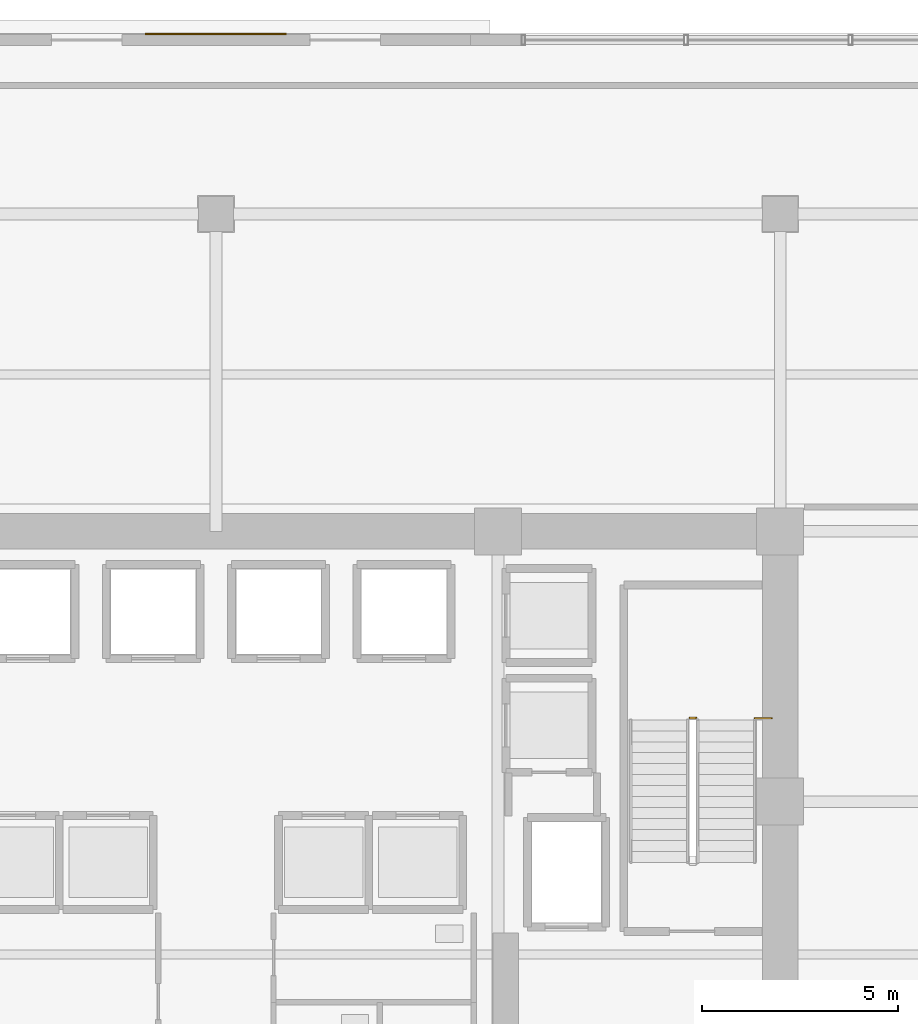
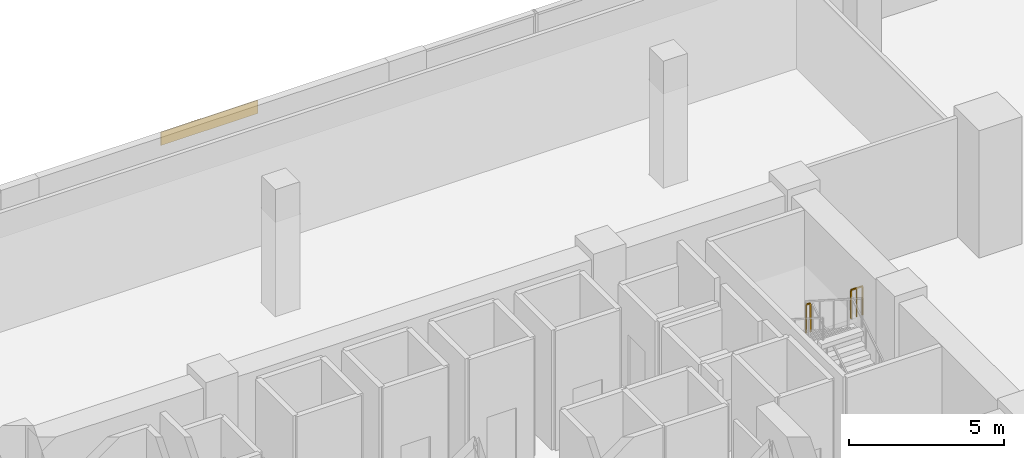
# One storey, part 24 of 27: 2 railings, 1 covering.
"""IFC4 building model written with IfcOpenShell, lengths in metres."""

from ifc_helpers import new_model, si_unit, direction, frame, origin, origin_2d, place, context, subcontext, project, spatial, rectangle, extrude, source, transform, mapped, material, layer, layer_set, type_object, element, save


model = new_model("IFC4")

# Units and contexts
model_context = context("Model", 3, precision=1e-05, world=origin(), true_north=direction((0.0, 1.0)))
body_context = subcontext(model_context, "Body", "Model", "MODEL_VIEW")
ifc_project = project(units=[si_unit("LENGTHUNIT", "METRE"), si_unit("AREAUNIT", "SQUARE_METRE"), si_unit("VOLUMEUNIT", "CUBIC_METRE"), si_unit("PLANEANGLEUNIT", "RADIAN"), si_unit("MASSUNIT", "GRAM", prefix="KILO")], contexts=[model_context])

# Site, building, storey
site_placement = place(None, origin())
site = spatial("IfcSite", under=ifc_project, at=site_placement, CompositionType="ELEMENT")
building_placement = place(site_placement, origin())
building = spatial("IfcBuilding", under=site, at=building_placement, Name="Zarnakvel Exchange Tower", CompositionType="ELEMENT")
storey_placement = place(building_placement, origin())
storey = spatial("IfcBuildingStorey", under=building, at=storey_placement, Name="L00", CompositionType="ELEMENT", Elevation=0.0)

# Railings
ifc_material_1 = material(Name="Architectural Bronze Anodised Aluminium", Category="aluminium")
railing_type = type_object("IfcRailingType", Name="SG-01", PredefinedType="GUARDRAIL", material=ifc_material_1)
railing_1_placement = place(storey_placement, frame((12.25, 8.739990234375, 2.5)))
element("IfcRailing", 1, at=railing_1_placement, inside=storey, type_object=railing_type, Name="L00 ST-02 stair guard 2", PredefinedType="GUARDRAIL", context=body_context, shape_type="SweptSolid", body=[
    extrude(rectangle(XDim=0.048095703125, YDim=0.048095703125, at=origin_2d()), frame((0.0, 0.0, 1.1259765625), z_axis=(-1.0, 0.0, 0.0), x_axis=(0.0, -1.0, 0.0)), (0.0, 0.0, 1.0), 0.159912109375),
    extrude(rectangle(XDim=0.0419921875, YDim=0.0419921875, at=origin_2d()), origin(), (0.0, 0.0, 1.0), 1.101806640625),
    extrude(rectangle(XDim=0.0419921875, YDim=0.0419921875, at=origin_2d()), frame((-0.159912109375, 0.0, 0.0)), (0.0, 0.0, 1.0), 1.101806640625),
])
railing_2_placement = place(storey_placement, frame((13.75, 8.72998046875, 2.5)))
element("IfcRailing", 2, at=railing_2_placement, inside=storey, type_object=railing_type, Name="L00 ST-02 Landing Slot Guardrail", PredefinedType="GUARDRAIL", context=body_context, shape_type="SweptSolid", body=[
    extrude(rectangle(XDim=0.048095703125, YDim=0.048095703125, at=origin_2d()), frame((0.0, 0.0, 1.1259765625), z_axis=(1.0, 0.0, 0.0), x_axis=(0.0, 1.0, 0.0)), (0.0, 0.0, 1.0), 0.429931640625),
    extrude(rectangle(XDim=0.0419921875, YDim=0.0419921875, at=origin_2d()), origin(), (0.0, 0.0, 1.0), 1.101806640625),
    extrude(rectangle(XDim=0.0419921875, YDim=0.0419921875, at=origin_2d()), frame((0.21484375, 0.0, 0.0)), (0.0, 0.0, 1.0), 1.101806640625),
    extrude(rectangle(XDim=0.0419921875, YDim=0.0419921875, at=origin_2d()), frame((0.429931640625, 0.0, 0.0)), (0.0, 0.0, 1.0), 1.101806640625),
])

# Covering
ifc_material_2 = material(Name="Glazed Turquoise Ceramic Architectural Tile", Category="ceramic")
ifc_layer = layer(ifc_material_2, 0.028076171875)
ifc_layer_set = layer_set([ifc_layer], Name="Glazed Turquoise Ceramic Architectural Tile")
covering_type = type_object("IfcCoveringType", Name="CL-01", PredefinedType="CLADDING", material=ifc_layer_set)
shared_shape = source(origin(), body_context, "Body", "SweptSolid", [
    extrude(rectangle(XDim=3.60009765625, YDim=0.028076171875, at=origin_2d()), origin(), (0.0, 0.0, 1.0), 0.52001953125),
])
covering_placement = place(storey_placement, frame((0.0, 26.19189453125, 4.159912109375), z_axis=(0.0, 0.0, 1.0), x_axis=(1.0, 0.0, 0.0)))
element("IfcCovering", 3, at=covering_placement, inside=storey, type_object=covering_type, Name="L00 Ceramic Spandrel Tilework CL-01", PredefinedType="CLADDING", context=body_context, shape_type="MappedRepresentation", body=[
    mapped(shared_shape, transform((0.0, 0.0, 0.0), x_axis=(1.0, 0.0, 0.0), y_axis=(0.0, 1.0, 0.0), z_axis=(0.0, 0.0, 1.0), scale=1.0)),
])

save(model, "model.ifc")
